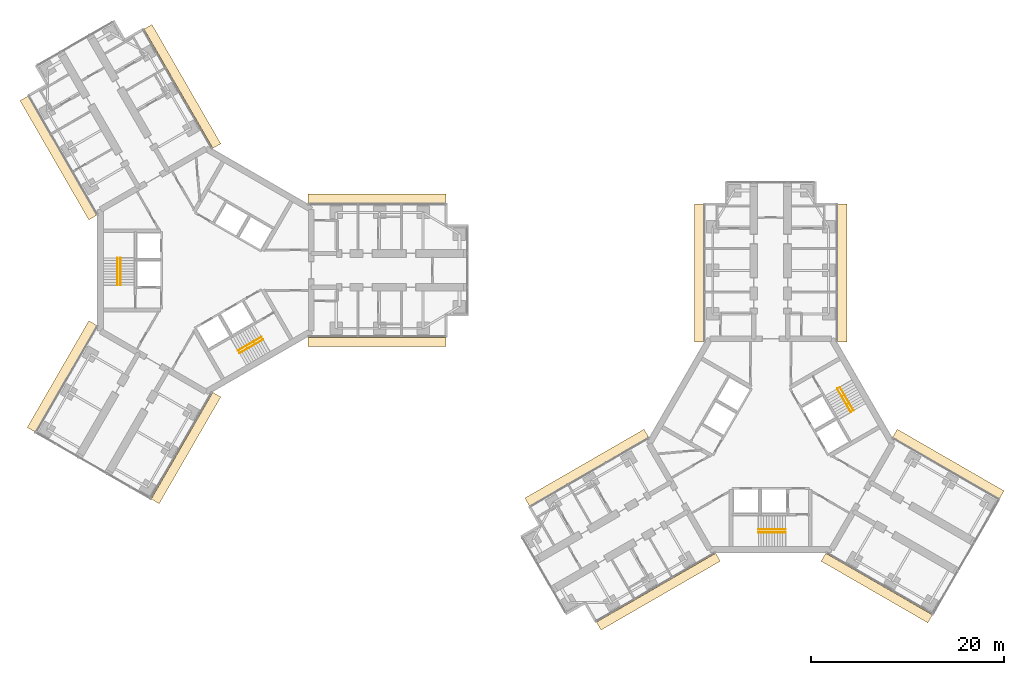
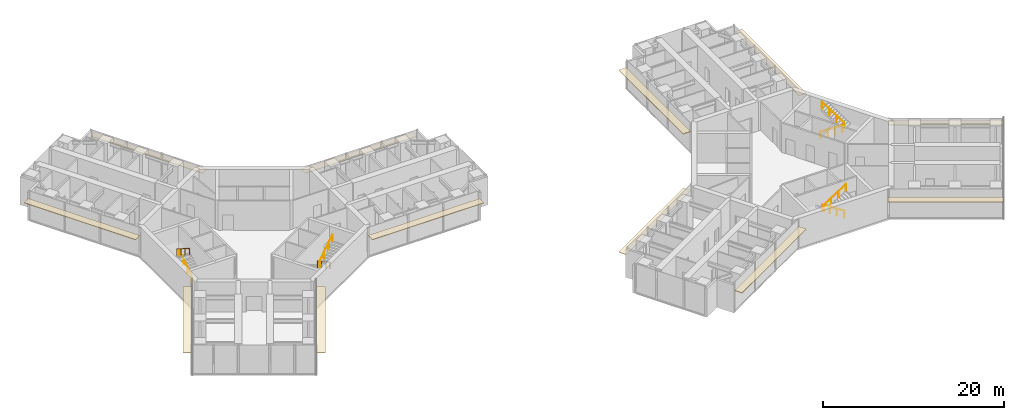
# One storey, part 22 of 22: 12 coverings, 8 railings.
"""IFC4 building model written with IfcOpenShell, lengths in metres."""

from ifc_helpers import new_model, si_unit, direction, frame, origin, origin_2d, place, context, subcontext, project, spatial, rectangle, circle, extrude, material, layer, layer_set, type_object, element, save


model = new_model("IFC4")

# Units and contexts
model_context = context("Model", 3, precision=1e-05, world=origin(), true_north=direction((0.0, 1.0)))
body_context = subcontext(model_context, "Body", "Model", "MODEL_VIEW")
ifc_project = project(units=[si_unit("LENGTHUNIT", "METRE"), si_unit("AREAUNIT", "SQUARE_METRE"), si_unit("VOLUMEUNIT", "CUBIC_METRE"), si_unit("PLANEANGLEUNIT", "RADIAN"), si_unit("MASSUNIT", "GRAM", prefix="KILO")], contexts=[model_context])

# Site, building, storey
site_placement = place(None, origin())
site = spatial("IfcSite", under=ifc_project, at=site_placement, CompositionType="ELEMENT")
building_placement = place(site_placement, origin())
building = spatial("IfcBuilding", under=site, at=building_placement, Name="Upepo Twin Towers", CompositionType="ELEMENT")
storey_placement = place(building_placement, frame((0.0, 0.0, 141.5)))
storey = spatial("IfcBuildingStorey", under=building, at=storey_placement, Name="L34", CompositionType="ELEMENT", Elevation=141.5)

# Coverings
ifc_material_1 = material(Name="Anodised aluminium, pale silver", Category="aluminium")
ifc_layer = layer(ifc_material_1, 0.080078125)
ifc_layer_set = layer_set([ifc_layer], Name="Brise-soleil blade 950 pale aluminium")
covering_type = type_object("IfcCoveringType", Name="Brise-soleil blade 950 pale aluminium", PredefinedType="USERDEFINED", material=ifc_layer_set)
for number, where, z_axis, x_axis, name in (
    (1, (17.718505859375, 7.4150390625, 2.909912109375), (0.0, 0.0, 1.0), (1.0, 0.0, 0.0), "T1 L34 wing A brise-soleil L"),
    (2, (17.718505859375, -7.4150390625, 2.909912109375), (0.0, 0.0, 1.0), (1.0, 0.0, 0.0), "T1 L34 wing A brise-soleil R"),
    (3, (-15.28076171875, 11.63720703125, 2.909912109375), (0.0, 0.0, 1.0), (-0.499999954655, 0.866025429964, 0.0), "T1 L34 wing B brise-soleil L"),
    (4, (-2.437744140625, 19.05224609375, 2.909912109375), (0.0, 0.0, 1.0), (-0.500000015115, 0.866025395058, 0.0), "T1 L34 wing B brise-soleil R"),
):
    element("IfcCovering", number, at=place(storey_placement, frame(where, z_axis=z_axis, x_axis=x_axis)), inside=storey, type_object=covering_type, Name=name, ObjectType="SUNSHADE", PredefinedType="USERDEFINED", context=body_context, shape_type="SweptSolid", body=[
        extrude(rectangle(XDim=14.262939453125, YDim=0.949951171875, at=origin_2d()), origin(), (0.0, 0.0, 1.0), 0.080078125),
    ])
for number, where, z_axis, x_axis, name in (
    (5, (-2.062744140625, -18.402587890625, 2.909912109375), (0.0, 0.0, 1.0), (-0.500000015115, -0.866025395058, 0.0), "T1 L34 wing C brise-soleil L"),
    (6, (-14.90576171875, -10.98779296875, 2.909912109375), (0.0, 0.0, 1.0), (-0.499999954655, -0.866025429964, 0.0), "T1 L34 wing C brise-soleil R"),
):
    element("IfcCovering", number, at=place(storey_placement, frame(where, z_axis=z_axis, x_axis=x_axis)), inside=storey, type_object=covering_type, Name=name, ObjectType="SUNSHADE", PredefinedType="USERDEFINED", context=body_context, shape_type="SweptSolid", body=[
        extrude(rectangle(XDim=12.762939453125, YDim=0.949951171875, at=origin_2d()), origin(), (0.0, 0.0, 1.0), 0.080078125),
    ])
for number, where, z_axis, x_axis, name in (
    (7, (51.0849609375, -0.281494140625, 2.909912109375), (0.0, 0.0, 1.0), (0.0, 1.0, 0.0), "T2 L34 wing A brise-soleil L"),
    (8, (65.9150390625, -0.281494140625, 2.909912109375), (0.0, 0.0, 1.0), (0.0, 1.0, 0.0), "T2 L34 wing A brise-soleil R"),
    (9, (46.86279296875, -33.28076171875, 2.909912109375), (0.0, 0.0, 1.0), (-0.866025429964, -0.499999954655, 0.0), "T2 L34 wing B brise-soleil L"),
    (10, (39.44775390625, -20.437744140625, 2.909912109375), (0.0, 0.0, 1.0), (-0.866025395058, -0.500000015115, 0.0), "T2 L34 wing B brise-soleil R"),
):
    element("IfcCovering", number, at=place(storey_placement, frame(where, z_axis=z_axis, x_axis=x_axis)), inside=storey, type_object=covering_type, Name=name, ObjectType="SUNSHADE", PredefinedType="USERDEFINED", context=body_context, shape_type="SweptSolid", body=[
        extrude(rectangle(XDim=14.262939453125, YDim=0.949951171875, at=origin_2d()), origin(), (0.0, 0.0, 1.0), 0.080078125),
    ])
for number, where, z_axis, x_axis, name in (
    (11, (76.902587890625, -20.062744140625, 2.909912109375), (0.0, 0.0, 1.0), (0.866025395058, -0.500000015115, 0.0), "T2 L34 wing C brise-soleil L"),
    (12, (69.48779296875, -32.90576171875, 2.909912109375), (0.0, 0.0, 1.0), (0.866025429964, -0.499999954655, 0.0), "T2 L34 wing C brise-soleil R"),
):
    element("IfcCovering", number, at=place(storey_placement, frame(where, z_axis=z_axis, x_axis=x_axis)), inside=storey, type_object=covering_type, Name=name, ObjectType="SUNSHADE", PredefinedType="USERDEFINED", context=body_context, shape_type="SweptSolid", body=[
        extrude(rectangle(XDim=12.762939453125, YDim=0.949951171875, at=origin_2d()), origin(), (0.0, 0.0, 1.0), 0.080078125),
    ])

# Railings
ifc_material_2 = material(Name="Stainless steel", Category="steel")
railing_type = type_object("IfcRailingType", Name="Stair handrail 900", PredefinedType="HANDRAIL", material=ifc_material_2)
railing_1_placement = place(storey_placement, frame((-8.85009765625, -1.52001953125, 0.181884765625)))
element("IfcRailing", 13, at=railing_1_placement, inside=storey, type_object=railing_type, Name="T1 stair S1 L34 handrail 1", PredefinedType="HANDRAIL", context=body_context, shape_type="SweptSolid", body=[
    extrude(circle(Radius=0.02392578125, at=origin_2d()), frame((0.0, 0.0, 0.8759765625), z_axis=(0.0, 0.838705829183, 0.544584733623), x_axis=(-1.0, 0.0, 0.0)), (0.0, 0.0, 1.0), 3.338623046875),
    extrude(circle(Radius=0.02099609375, at=origin_2d()), origin(), (0.0, 0.0, 1.0), 0.851806640625),
    extrude(circle(Radius=0.02099609375, at=origin_2d()), frame((0.0, 0.933349609375, 0.60595703125)), (0.0, 0.0, 1.0), 0.851806640625),
    extrude(circle(Radius=0.02099609375, at=origin_2d()), frame((0.0, 1.86669921875, 1.212158203125)), (0.0, 0.0, 1.0), 0.851806640625),
    extrude(circle(Radius=0.02099609375, at=origin_2d()), frame((0.0, 2.800048828125, 1.818115234375)), (0.0, 0.0, 1.0), 0.851806640625),
])
railing_2_placement = place(storey_placement, frame((-9.158447265625, 1.280029296875, 2.181884765625)))
element("IfcRailing", 14, at=railing_2_placement, inside=storey, type_object=railing_type, Name="T1 stair S1 L34 handrail 2", PredefinedType="HANDRAIL", context=body_context, shape_type="SweptSolid", body=[
    extrude(circle(Radius=0.02392578125, at=origin_2d()), frame((0.0, 0.0, 0.8759765625), z_axis=(0.0, -0.838705829183, 0.544584733623), x_axis=(1.0, 0.0, 0.0)), (0.0, 0.0, 1.0), 3.338623046875),
    extrude(circle(Radius=0.02099609375, at=origin_2d()), origin(), (0.0, 0.0, 1.0), 0.851806640625),
    extrude(circle(Radius=0.02099609375, at=origin_2d()), frame((0.0, -0.933349609375, 0.60595703125)), (0.0, 0.0, 1.0), 0.851806640625),
    extrude(circle(Radius=0.02099609375, at=origin_2d()), frame((0.0, -1.86669921875, 1.212158203125)), (0.0, 0.0, 1.0), 0.851806640625),
    extrude(circle(Radius=0.02099609375, at=origin_2d()), frame((0.0, -2.800048828125, 1.818115234375)), (0.0, 0.0, 1.0), 0.851806640625),
])
railing_3_placement = place(storey_placement, frame((5.741455078125, -6.904296875, 0.181884765625)))
element("IfcRailing", 15, at=railing_3_placement, inside=storey, type_object=railing_type, Name="T1 stair S2 L34 handrail 1", PredefinedType="HANDRAIL", context=body_context, shape_type="SweptSolid", body=[
    extrude(circle(Radius=0.02392578125, at=origin_2d()), frame((0.0, 0.0, 0.8759765625), z_axis=(-0.726348578268, -0.419370693282, 0.544560340518), x_axis=(0.500011755427, -0.866018616679, 0.0)), (0.0, 0.0, 1.0), 3.338623046875),
    extrude(circle(Radius=0.02099609375, at=origin_2d()), origin(), (0.0, 0.0, 1.0), 0.851806640625),
    extrude(circle(Radius=0.02099609375, at=origin_2d()), frame((-0.808349609375, -0.466796875, 0.60595703125)), (0.0, 0.0, 1.0), 0.851806640625),
    extrude(circle(Radius=0.02099609375, at=origin_2d()), frame((-1.61669921875, -0.933349609375, 1.212158203125)), (0.0, 0.0, 1.0), 0.851806640625),
    extrude(circle(Radius=0.02099609375, at=origin_2d()), frame((-2.425048828125, -1.400146484375, 1.818115234375)), (0.0, 0.0, 1.0), 0.851806640625),
])
railing_4_placement = place(storey_placement, frame((3.470703125, -8.5712890625, 2.181884765625)))
element("IfcRailing", 16, at=railing_4_placement, inside=storey, type_object=railing_type, Name="T1 stair S2 L34 handrail 2", PredefinedType="HANDRAIL", context=body_context, shape_type="SweptSolid", body=[
    extrude(circle(Radius=0.02392578125, at=origin_2d()), frame((0.0, 0.0, 0.8759765625), z_axis=(0.726336304947, 0.419332699614, 0.544605966869), x_axis=(-0.49998411664, 0.866034573852, 0.0)), (0.0, 0.0, 1.0), 3.33837890625),
    extrude(circle(Radius=0.02099609375, at=origin_2d()), origin(), (0.0, 0.0, 1.0), 0.851806640625),
    extrude(circle(Radius=0.02099609375, at=origin_2d()), frame((0.808349609375, 0.466552734375, 0.60595703125)), (0.0, 0.0, 1.0), 0.851806640625),
    extrude(circle(Radius=0.02099609375, at=origin_2d()), frame((1.616455078125, 0.933349609375, 1.212158203125)), (0.0, 0.0, 1.0), 0.851806640625),
    extrude(circle(Radius=0.02099609375, at=origin_2d()), frame((2.4248046875, 1.39990234375, 1.818115234375)), (0.0, 0.0, 1.0), 0.851806640625),
])
railing_5_placement = place(storey_placement, frame((60.02001953125, -26.85009765625, 0.181884765625)))
element("IfcRailing", 17, at=railing_5_placement, inside=storey, type_object=railing_type, Name="T2 stair S1 L34 handrail 1", PredefinedType="HANDRAIL", context=body_context, shape_type="SweptSolid", body=[
    extrude(circle(Radius=0.02392578125, at=origin_2d()), frame((0.0, 0.0, 0.8759765625), z_axis=(-0.838705829183, 0.0, 0.544584733623), x_axis=(0.0, -1.0, 0.0)), (0.0, 0.0, 1.0), 3.338623046875),
    extrude(circle(Radius=0.02099609375, at=origin_2d()), origin(), (0.0, 0.0, 1.0), 0.851806640625),
    extrude(circle(Radius=0.02099609375, at=origin_2d()), frame((-0.933349609375, 0.0, 0.60595703125)), (0.0, 0.0, 1.0), 0.851806640625),
    extrude(circle(Radius=0.02099609375, at=origin_2d()), frame((-1.86669921875, 0.0, 1.212158203125)), (0.0, 0.0, 1.0), 0.851806640625),
    extrude(circle(Radius=0.02099609375, at=origin_2d()), frame((-2.800048828125, 0.0, 1.818115234375)), (0.0, 0.0, 1.0), 0.851806640625),
])
railing_6_placement = place(storey_placement, frame((57.219970703125, -27.158447265625, 2.181884765625)))
element("IfcRailing", 18, at=railing_6_placement, inside=storey, type_object=railing_type, Name="T2 stair S1 L34 handrail 2", PredefinedType="HANDRAIL", context=body_context, shape_type="SweptSolid", body=[
    extrude(circle(Radius=0.02392578125, at=origin_2d()), frame((0.0, 0.0, 0.8759765625), z_axis=(0.838705829183, 0.0, 0.544584733623), x_axis=(0.0, 1.0, 0.0)), (0.0, 0.0, 1.0), 3.338623046875),
    extrude(circle(Radius=0.02099609375, at=origin_2d()), origin(), (0.0, 0.0, 1.0), 0.851806640625),
    extrude(circle(Radius=0.02099609375, at=origin_2d()), frame((0.933349609375, 0.0, 0.60595703125)), (0.0, 0.0, 1.0), 0.851806640625),
    extrude(circle(Radius=0.02099609375, at=origin_2d()), frame((1.86669921875, 0.0, 1.212158203125)), (0.0, 0.0, 1.0), 0.851806640625),
    extrude(circle(Radius=0.02099609375, at=origin_2d()), frame((2.800048828125, 0.0, 1.818115234375)), (0.0, 0.0, 1.0), 0.851806640625),
])
railing_7_placement = place(storey_placement, frame((65.404296875, -12.258544921875, 0.181884765625)))
element("IfcRailing", 19, at=railing_7_placement, inside=storey, type_object=railing_type, Name="T2 stair S2 L34 handrail 1", PredefinedType="HANDRAIL", context=body_context, shape_type="SweptSolid", body=[
    extrude(circle(Radius=0.02392578125, at=origin_2d()), frame((0.0, 0.0, 0.8759765625), z_axis=(0.419370693282, -0.726348578268, 0.544560340518), x_axis=(0.866018616679, 0.500011755427, 0.0)), (0.0, 0.0, 1.0), 3.338623046875),
    extrude(circle(Radius=0.02099609375, at=origin_2d()), origin(), (0.0, 0.0, 1.0), 0.851806640625),
    extrude(circle(Radius=0.02099609375, at=origin_2d()), frame((0.466796875, -0.808349609375, 0.60595703125)), (0.0, 0.0, 1.0), 0.851806640625),
    extrude(circle(Radius=0.02099609375, at=origin_2d()), frame((0.933349609375, -1.61669921875, 1.212158203125)), (0.0, 0.0, 1.0), 0.851806640625),
    extrude(circle(Radius=0.02099609375, at=origin_2d()), frame((1.400146484375, -2.425048828125, 1.818115234375)), (0.0, 0.0, 1.0), 0.851806640625),
])
railing_8_placement = place(storey_placement, frame((67.0712890625, -14.529296875, 2.181884765625)))
element("IfcRailing", 20, at=railing_8_placement, inside=storey, type_object=railing_type, Name="T2 stair S2 L34 handrail 2", PredefinedType="HANDRAIL", context=body_context, shape_type="SweptSolid", body=[
    extrude(circle(Radius=0.02392578125, at=origin_2d()), frame((0.0, 0.0, 0.8759765625), z_axis=(-0.419332699614, 0.726336304947, 0.544605966869), x_axis=(-0.866034573852, -0.49998411664, 0.0)), (0.0, 0.0, 1.0), 3.33837890625),
    extrude(circle(Radius=0.02099609375, at=origin_2d()), origin(), (0.0, 0.0, 1.0), 0.851806640625),
    extrude(circle(Radius=0.02099609375, at=origin_2d()), frame((-0.466552734375, 0.808349609375, 0.60595703125)), (0.0, 0.0, 1.0), 0.851806640625),
    extrude(circle(Radius=0.02099609375, at=origin_2d()), frame((-0.933349609375, 1.616455078125, 1.212158203125)), (0.0, 0.0, 1.0), 0.851806640625),
    extrude(circle(Radius=0.02099609375, at=origin_2d()), frame((-1.39990234375, 2.4248046875, 1.818115234375)), (0.0, 0.0, 1.0), 0.851806640625),
])

save(model, "model.ifc")
